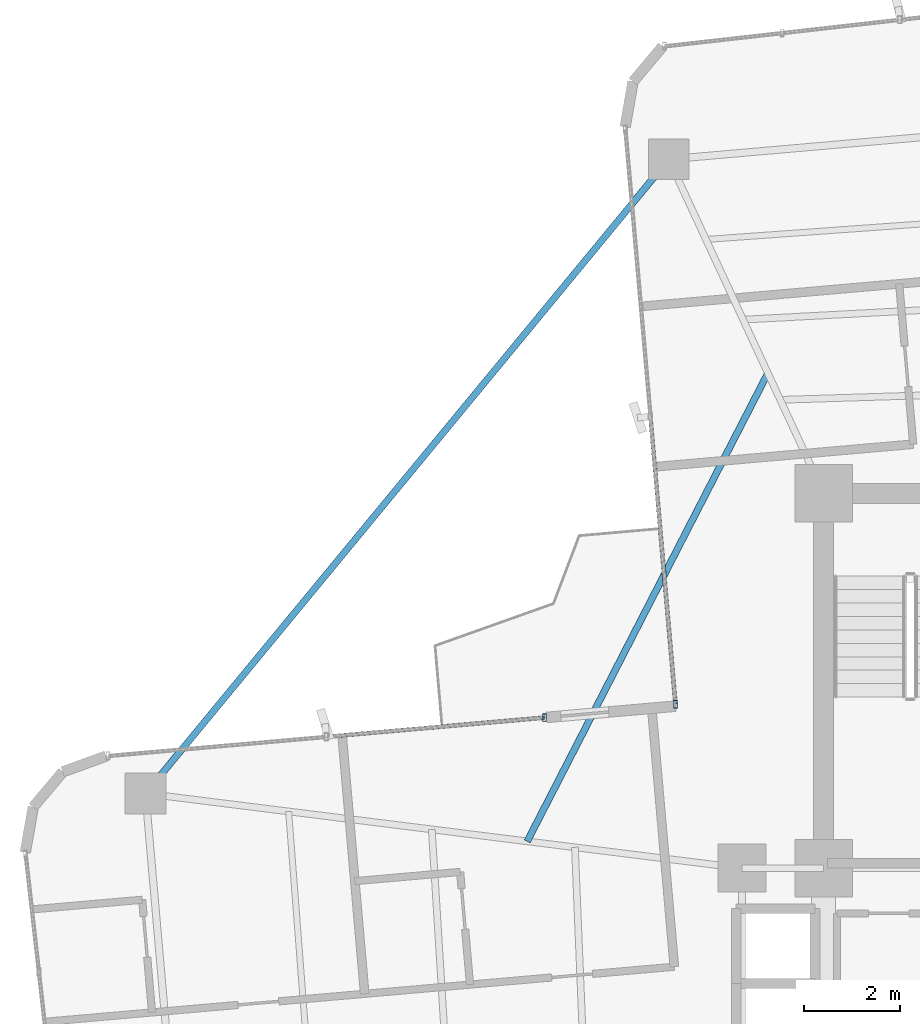
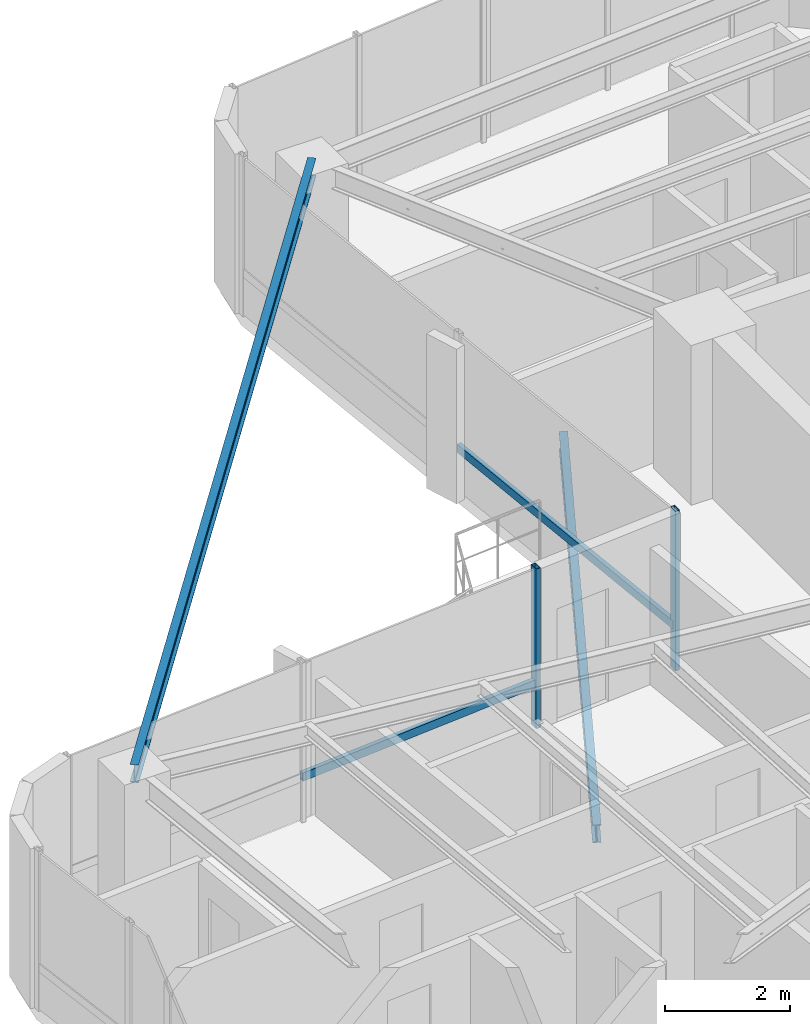
# One storey, part 10 of 24: 4 members, 2 beams, 2 elements without a shape of their own.
"""IFC4 building model written with IfcOpenShell, lengths in metres."""

from ifc_helpers import new_model, si_unit, direction, frame, origin, origin_2d, place, context, subcontext, project, spatial, hollow_rectangle, i_section, extrude, source, transform, mapped, material, material_profile, profile_set, type_object, element, aggregate, save


model = new_model("IFC4")

# Units and contexts
model_context = context("Model", 3, precision=1e-05, world=origin(), true_north=direction((0.0, 1.0)))
body_context = subcontext(model_context, "Body", "Model", "MODEL_VIEW")
ifc_project = project(units=[si_unit("LENGTHUNIT", "METRE"), si_unit("AREAUNIT", "SQUARE_METRE"), si_unit("VOLUMEUNIT", "CUBIC_METRE"), si_unit("PLANEANGLEUNIT", "RADIAN"), si_unit("MASSUNIT", "GRAM", prefix="KILO")], contexts=[model_context])

# Site, building, storey
site_placement = place(None, origin())
site = spatial("IfcSite", under=ifc_project, at=site_placement, CompositionType="ELEMENT")
building_placement = place(site_placement, origin())
building = spatial("IfcBuilding", under=site, at=building_placement, Name="Sahyath Konkavel Grand Hotel", CompositionType="ELEMENT")
storey_placement = place(building_placement, frame((0.0, 0.0, 153.949951171875)))
storey = spatial("IfcBuildingStorey", under=building, at=storey_placement, Name="L42", CompositionType="ELEMENT", Elevation=153.949951171875)

# Beam
ifc_material_1 = material(Name="Steel E350", Category="steel")
ifc_material_profile_1 = material_profile(ifc_material_1, i_section(OverallWidth=0.139892578125, OverallDepth=0.35009765625, WebThickness=0.008056640625, FlangeThickness=0.01416015625, FilletRadius=0.013916015625, at=origin_2d()), Name="ISMB 350")
ifc_profile_set_1 = profile_set([ifc_material_profile_1], Name="Steel E350")
beam_type_1 = type_object("IfcBeamType", Name="BM-ISMB350", PredefinedType="BEAM", material=ifc_profile_set_1)
shared_shape_1 = source(origin(), body_context, "Body", "SweptSolid", [
    extrude(i_section(OverallWidth=0.139892578125, OverallDepth=0.35009765625, WebThickness=0.008056640625, FlangeThickness=0.01416015625, FilletRadius=0.013916015625, at=origin_2d()), origin(), (0.0, 0.0, 1.0), 17.112548828125),
])
beam_1_placement = place(storey_placement, frame((-7.021728515625, 17.1533203125, 2.93505859375), z_axis=(-0.636437070092, -0.77132863023, 0.0), x_axis=(0.77132863023, -0.636437070092, 0.0)))
element("IfcBeam", 1, at=beam_1_placement, inside=storey, type_object=beam_type_1, Name="L42 Re-Entrant Tie Beam NW", PredefinedType="BEAM", context=body_context, shape_type="MappedRepresentation", body=[
    mapped(shared_shape_1, transform((0.0, 0.0, 0.0), scale=1.0)),
])

# Curtain wall, member
ifc_material_2 = material(Name="Anodised Bronze Aluminium & Low-E Glazing", Category="aluminium")
curtain_wall_type = type_object("IfcCurtainWallType", Name="CW-ZONE3", PredefinedType="NOTDEFINED", material=ifc_material_2)
curtain_wall_1_placement = place(storey_placement, origin())
curtain_wall_1 = element("IfcCurtainWall", 2, at=curtain_wall_1_placement, inside=storey, type_object=curtain_wall_type, Name="L42 Unitised Curtain Wall F15", PredefinedType="NOTDEFINED")
ifc_material_3 = material(Name="Anodised Bronze Aluminium", Category="aluminium")
ifc_material_profile_2 = material_profile(ifc_material_3, hollow_rectangle(XDim=0.080078125, YDim=0.159912109375, WallThickness=0.006103515625, at=origin_2d()), Name="RHS 160x80x6")
ifc_profile_set_2 = profile_set([ifc_material_profile_2], Name="Anodised Bronze Aluminium")
member_type_1 = type_object("IfcMemberType", Name="CW-MUL-160", PredefinedType="MULLION", material=ifc_profile_set_2)
shared_shape_2 = source(origin(), body_context, "Body", "SweptSolid", [
    extrude(hollow_rectangle(XDim=0.080078125, YDim=0.159912109375, WallThickness=0.006103515625, at=origin_2d()), origin(), (0.0, 0.0, 1.0), 3.110107421875),
])
member_1_placement = place(storey_placement, frame((-6.8828125, 5.812255859375, 0.0), z_axis=(0.0, 0.0, 1.0), x_axis=(1.0, 0.0, 0.0)))
member_1 = element("IfcMember", 3, at=member_1_placement, type_object=member_type_1, Name="L42 Curtain Wall Mullion F15-2", PredefinedType="MULLION", context=body_context, shape_type="MappedRepresentation", body=[
    mapped(shared_shape_2, transform((0.0, 0.0, 0.0), scale=1.0)),
])

# Curtain wall, members
curtain_wall_2_placement = place(storey_placement, origin())
curtain_wall_2 = element("IfcCurtainWall", 4, at=curtain_wall_2_placement, inside=storey, type_object=curtain_wall_type, Name="L42 Unitised Curtain Wall F16", PredefinedType="NOTDEFINED")
member_2_placement = place(storey_placement, frame((-9.60888671875, 5.53369140625, 0.0), z_axis=(0.0, 0.0, 1.0), x_axis=(1.0, 0.0, 0.0)))
member_2 = element("IfcMember", 5, at=member_2_placement, type_object=member_type_1, Name="L42 Curtain Wall Mullion F16-0", PredefinedType="MULLION", context=body_context, shape_type="MappedRepresentation", body=[
    mapped(shared_shape_2, transform((0.0, 0.0, 0.0), scale=1.0)),
])
ifc_material_profile_3 = material_profile(ifc_material_3, hollow_rectangle(XDim=0.080078125, YDim=0.159912109375, WallThickness=0.006103515625, at=origin_2d()), Name="RHS 160x80x6")
ifc_profile_set_3 = profile_set([ifc_material_profile_3], Name="Anodised Bronze Aluminium")
member_type_2 = type_object("IfcMemberType", Name="CW-TRN-160", PredefinedType="USERDEFINED", material=ifc_profile_set_3)
shared_shape_3 = source(origin(), body_context, "Body", "SweptSolid", [
    extrude(hollow_rectangle(XDim=0.080078125, YDim=0.159912109375, WallThickness=0.006103515625, at=origin_2d()), origin(), (0.0, 0.0, 1.0), 4.56005859375),
])
member_3_placement = place(storey_placement, frame((-9.60888671875, 5.53369140625, 0.85009765625), z_axis=(-0.996189590376, -0.087214104516, 0.0), x_axis=(0.087214104516, -0.996189590376, 0.0)))
member_3 = element("IfcMember", 6, at=member_3_placement, type_object=member_type_2, Name="L42 Curtain Wall Transom F16-0-spandrel", ObjectType="TRANSOM", PredefinedType="USERDEFINED", context=body_context, shape_type="MappedRepresentation", body=[
    mapped(shared_shape_3, transform((0.0, 0.0, 0.0), scale=1.0)),
])
aggregate(curtain_wall_2, [member_2, member_3])

# Member
shared_shape_4 = source(origin(), body_context, "Body", "SweptSolid", [
    extrude(hollow_rectangle(XDim=0.080078125, YDim=0.159912109375, WallThickness=0.006103515625, at=origin_2d()), origin(), (0.0, 0.0, 1.0), 6.010009765625),
])
member_4_placement = place(storey_placement, frame((-7.406494140625, 11.79931640625, 0.85009765625), z_axis=(0.087136210597, -0.996196406741, 0.0), x_axis=(0.996196406741, 0.087136210597, 0.0)))
member_4 = element("IfcMember", 7, at=member_4_placement, type_object=member_type_2, Name="L42 Curtain Wall Transom F15-1-spandrel", ObjectType="TRANSOM", PredefinedType="USERDEFINED", context=body_context, shape_type="MappedRepresentation", body=[
    mapped(shared_shape_4, transform((0.0, 0.0, 0.0), scale=1.0)),
])

aggregate(curtain_wall_1, [member_1, member_4])

# Beam
ifc_material_profile_4 = material_profile(ifc_material_1, i_section(OverallWidth=0.139892578125, OverallDepth=0.35009765625, WebThickness=0.008056640625, FlangeThickness=0.01416015625, FilletRadius=0.013916015625, at=origin_2d()), Name="ISMB 350")
ifc_profile_set_4 = profile_set([ifc_material_profile_4], Name="Steel E350")
beam_type_2 = type_object("IfcBeamType", Name="BM-BALC-CANT", PredefinedType="BEAM", material=ifc_profile_set_4)
shared_shape_5 = source(origin(), body_context, "Body", "SweptSolid", [
    extrude(i_section(OverallWidth=0.139892578125, OverallDepth=0.35009765625, WebThickness=0.008056640625, FlangeThickness=0.01416015625, FilletRadius=0.013916015625, at=origin_2d()), origin(), (0.0, 0.0, 1.0), 10.95556640625),
])
beam_2_placement = place(storey_placement, frame((-4.959716796875, 12.703125, -0.4150390625), z_axis=(-0.457186878355, -0.889370652912, 0.0), x_axis=(0.889370652912, -0.457186878355, 0.0)))
element("IfcBeam", 8, at=beam_2_placement, inside=storey, type_object=beam_type_2, Name="L42 Balcony Cantilever Support Beam NW", PredefinedType="BEAM", context=body_context, shape_type="MappedRepresentation", body=[
    mapped(shared_shape_5, transform((0.0, 0.0, 0.0), scale=1.0)),
])

save(model, "model.ifc")
